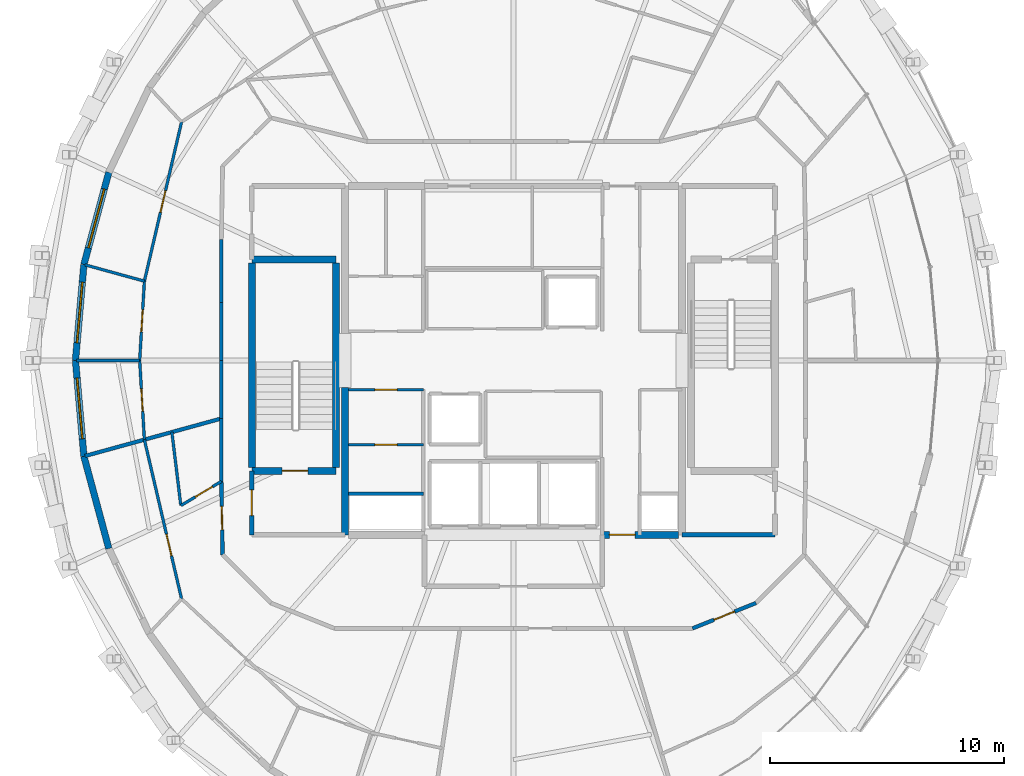
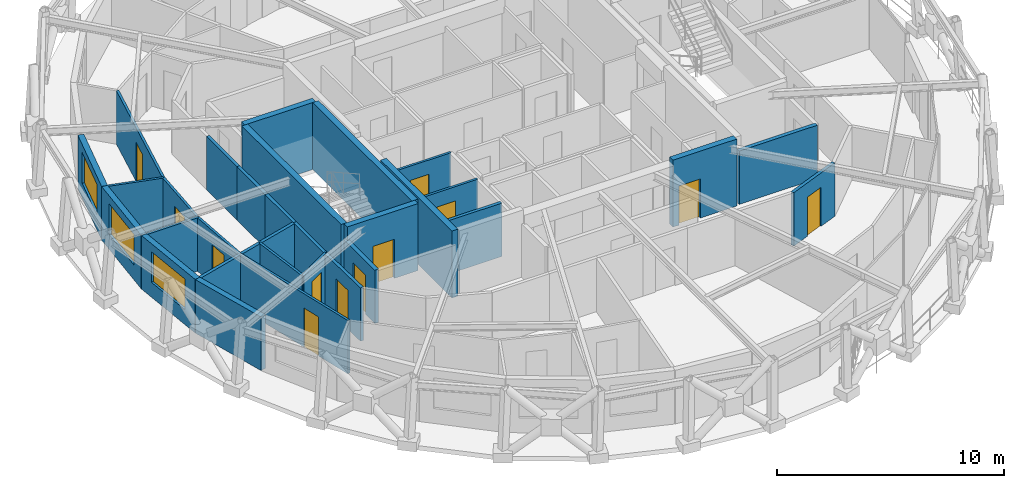
# One storey, part 11 of 16: 30 walls, 12 doors, 3 windows, 15 openings.
"""IFC4 building model written with IfcOpenShell, lengths in metres."""

from ifc_helpers import new_model, si_unit, direction, frame, frame_2d, origin, place, context, subcontext, project, spatial, rectangle, extrude, material, layer, layer_set, type_object, element, fill, save


model = new_model("IFC4")

# Units and contexts
model_context = context("Model", 3, precision=1e-05, world=origin(), true_north=direction((0.0, 1.0)))
body_context = subcontext(model_context, "Body", "Model", "MODEL_VIEW")
ifc_project = project(units=[si_unit("LENGTHUNIT", "METRE"), si_unit("AREAUNIT", "SQUARE_METRE"), si_unit("VOLUMEUNIT", "CUBIC_METRE"), si_unit("PLANEANGLEUNIT", "RADIAN"), si_unit("MASSUNIT", "GRAM", prefix="KILO")], contexts=[model_context])

# Site, building, storey
site_placement = place(None, origin())
site = spatial("IfcSite", under=ifc_project, at=site_placement, CompositionType="ELEMENT")
building_placement = place(site_placement, origin())
building = spatial("IfcBuilding", under=site, at=building_placement, Name="Veldorina Hangang Commons", CompositionType="ELEMENT")
storey_placement = place(building_placement, frame((0.0, 0.0, 279.60009765625)))
storey = spatial("IfcBuildingStorey", under=building, at=storey_placement, Name="L73", CompositionType="ELEMENT", Elevation=279.60009765625)

# Wall
ifc_material_1 = material(Name="Concrete C50/60", Category="concrete")
ifc_layer_1 = layer(ifc_material_1, 0.300048828125)
ifc_layer_set_1 = layer_set([ifc_layer_1], Name="Concrete C50/60")
wall_type_1 = type_object("IfcWallType", Name="CW-RC300-C50", PredefinedType="SHEAR", material=ifc_layer_set_1)
wall_1_placement = place(storey_placement, frame((24.800048828125, 16.550048828125, 0.0), z_axis=(0.0, 0.0, 1.0), x_axis=(0.0, 1.0, 0.0)))
element("IfcWall", 1, at=wall_1_placement, inside=storey, type_object=wall_type_1, Name="L73 W south core shear wall", PredefinedType="SHEAR", context=body_context, shape_type="SweptSolid", body=[
    extrude(rectangle(XDim=6.300048828125, YDim=0.300048828125, at=frame_2d((3.14990234375, 0.0))), origin(), (0.0, 0.0, 1.0), 3.599853515625),
])

# Wall, opening, door
wall_2_placement = place(storey_placement, frame((35.800048828125, 16.550048828125, 0.0), z_axis=(0.0, 0.0, 1.0), x_axis=(1.0, 0.0, 0.0)))
wall_2 = element("IfcWall", 2, at=wall_2_placement, inside=storey, type_object=wall_type_1, Name="L73 south-east core shear wall", PredefinedType="SHEAR", context=body_context, shape_type="SweptSolid", body=[
    extrude(rectangle(XDim=3.25, YDim=0.300048828125, at=frame_2d((1.625, 0.0))), origin(), (0.0, 0.0, 1.0), 3.599853515625),
])
opening_1_placement = place(wall_2_placement, frame((0.300048828125, 0.0, 0.0)))
opening_1 = element("IfcOpeningElement", 3, at=opening_1_placement, cuts=wall_2, Name="Opening D-08", PredefinedType="OPENING", context=body_context, shape_type="SweptSolid", body=[
    extrude(rectangle(XDim=1.10009765625, YDim=2.10009765625, at=frame_2d((0.550048828125, 1.050048828125))), frame((0.0, 0.16015625, 0.0), z_axis=(0.0, -1.0, 0.0), x_axis=(1.0, 0.0, 0.0)), (0.0, 0.0, 1.0), 0.320068359375),
])
ifc_material_2 = material(Name="Steel Fire-Rated Smoke Seal", Category="steel")
door_type_1 = type_object("IfcDoorType", Name="DR-FIRE-1100", OperationType="SINGLE_SWING_RIGHT", PredefinedType="DOOR", material=ifc_material_2)
door_1_placement = place(opening_1_placement, origin())
door_1 = element("IfcDoor", 4, at=door_1_placement, inside=storey, type_object=door_type_1, Name="L73 central lift lobby south corridor door", OperationType="SINGLE_SWING_RIGHT", OverallHeight=2.10009765625, OverallWidth=1.10009765625, PredefinedType="DOOR", context=body_context, shape_type="SweptSolid", body=[
    extrude(rectangle(XDim=1.10009765625, YDim=2.10009765625, at=frame_2d((0.550048828125, 1.050048828125))), frame((0.0, 0.02490234375, 0.0), z_axis=(0.0, -1.0, 0.0), x_axis=(1.0, 0.0, 0.0)), (0.0, 0.0, 1.0), 0.050048828125),
])
fill(opening_1, door_1)

# Wall, opening, window
ifc_material_3 = material(Name="Stone Roman Travertine", Category="masonry")
ifc_layer_2 = layer(ifc_material_3, 0.280029296875)
ifc_layer_set_2 = layer_set([ifc_layer_2], Name="Stone Roman Travertine")
wall_type_2 = type_object("IfcWallType", Name="EW-TRAV-280", PredefinedType="STANDARD", material=ifc_layer_set_2)
wall_3_placement = place(storey_placement, frame((14.711669921875, 32.03662109375, 0.0), z_axis=(0.0, 0.0, 1.0), x_axis=(-0.260889436927, -0.965368686927, 0.0)))
wall_3 = element("IfcWall", 5, at=wall_3_placement, inside=storey, type_object=wall_type_2, Name="L73 travertine facade wall 14", PredefinedType="STANDARD", context=body_context, shape_type="SweptSolid", body=[
    extrude(rectangle(XDim=4.0810546875, YDim=0.280029296875, at=frame_2d((2.04052734375, 0.0))), origin(), (0.0, 0.0, 1.0), 2.8798828125),
])
opening_2_placement = place(wall_3_placement, frame((0.740478515625, 0.0, 0.800048828125)))
opening_2 = element("IfcOpeningElement", 6, at=opening_2_placement, cuts=wall_3, Name="Opening W-02", PredefinedType="OPENING", context=body_context, shape_type="SweptSolid", body=[
    extrude(rectangle(XDim=2.60009765625, YDim=1.64990234375, at=frame_2d((1.300048828125, 0.824951171875))), frame((0.0, 0.14990234375, 0.0), z_axis=(0.0, -1.0, 0.0), x_axis=(1.0, 0.0, 0.0)), (0.0, 0.0, 1.0), 0.300048828125),
])
ifc_material_4 = material(Name="Glass Low-E Triple IGU", Category="glass")
window_type = type_object("IfcWindowType", Name="WIN-TWR-2600", PartitioningType="SINGLE_PANEL", PredefinedType="WINDOW", material=ifc_material_4)
window_1_placement = place(opening_2_placement, origin())
window_1 = element("IfcWindow", 7, at=window_1_placement, inside=storey, type_object=window_type, Name="L73 facade window 14", OverallHeight=1.64990234375, OverallWidth=2.60009765625, PartitioningType="SINGLE_PANEL", PredefinedType="WINDOW", context=body_context, shape_type="SweptSolid", body=[
    extrude(rectangle(XDim=2.60009765625, YDim=1.64990234375, at=frame_2d((1.300048828125, 0.824951171875))), frame((0.0, 0.030029296875, 0.0), z_axis=(0.0, -1.0, 0.0), x_axis=(1.0, 0.0, 0.0)), (0.0, 0.0, 1.0), 0.06005859375),
])
fill(opening_2, window_1)

wall_4_placement = place(storey_placement, frame((13.64697265625, 28.096923828125, 0.0), z_axis=(0.0, 0.0, 1.0), x_axis=(-0.087441623723, -0.996169645412, 0.0)))
wall_4 = element("IfcWall", 8, at=wall_4_placement, inside=storey, type_object=wall_type_2, Name="L73 travertine facade wall 15", PredefinedType="STANDARD", context=body_context, shape_type="SweptSolid", body=[
    extrude(rectangle(XDim=4.11279296875, YDim=0.280029296875, at=frame_2d((2.056396484375, 0.0))), origin(), (0.0, 0.0, 1.0), 2.8798828125),
])
opening_3_placement = place(wall_4_placement, frame((0.75634765625, 0.0, 0.800048828125)))
opening_3 = element("IfcOpeningElement", 9, at=opening_3_placement, cuts=wall_4, Name="Opening W-02", PredefinedType="OPENING", context=body_context, shape_type="SweptSolid", body=[
    extrude(rectangle(XDim=2.60009765625, YDim=1.64990234375, at=frame_2d((1.300048828125, 0.824951171875))), frame((0.0, 0.14990234375, 0.0), z_axis=(0.0, -1.0, 0.0), x_axis=(1.0, 0.0, 0.0)), (0.0, 0.0, 1.0), 0.300048828125),
])
window_2_placement = place(opening_3_placement, origin())
window_2 = element("IfcWindow", 10, at=window_2_placement, inside=storey, type_object=window_type, Name="L73 facade window 15", OverallHeight=1.64990234375, OverallWidth=2.60009765625, PartitioningType="SINGLE_PANEL", PredefinedType="WINDOW", context=body_context, shape_type="SweptSolid", body=[
    extrude(rectangle(XDim=2.60009765625, YDim=1.64990234375, at=frame_2d((1.300048828125, 0.824951171875))), frame((0.0, 0.030029296875, 0.0), z_axis=(0.0, -1.0, 0.0), x_axis=(1.0, 0.0, 0.0)), (0.0, 0.0, 1.0), 0.06005859375),
])
fill(opening_3, window_2)

wall_5_placement = place(storey_placement, frame((13.287353515625, 24.0, 0.0), z_axis=(0.0, 0.0, 1.0), x_axis=(0.087441623723, -0.996169645412, 0.0)))
wall_5 = element("IfcWall", 11, at=wall_5_placement, inside=storey, type_object=wall_type_2, Name="L73 travertine facade wall 16", PredefinedType="STANDARD", context=body_context, shape_type="SweptSolid", body=[
    extrude(rectangle(XDim=4.11279296875, YDim=0.280029296875, at=frame_2d((2.056396484375, 0.0))), origin(), (0.0, 0.0, 1.0), 2.8798828125),
])
opening_4_placement = place(wall_5_placement, frame((0.75634765625, 0.0, 0.800048828125)))
opening_4 = element("IfcOpeningElement", 12, at=opening_4_placement, cuts=wall_5, Name="Opening W-02", PredefinedType="OPENING", context=body_context, shape_type="SweptSolid", body=[
    extrude(rectangle(XDim=2.60009765625, YDim=1.64990234375, at=frame_2d((1.300048828125, 0.824951171875))), frame((0.0, 0.14990234375, 0.0), z_axis=(0.0, -1.0, 0.0), x_axis=(1.0, 0.0, 0.0)), (0.0, 0.0, 1.0), 0.300048828125),
])
window_3_placement = place(opening_4_placement, origin())
window_3 = element("IfcWindow", 13, at=window_3_placement, inside=storey, type_object=window_type, Name="L73 facade window 16", OverallHeight=1.64990234375, OverallWidth=2.60009765625, PartitioningType="SINGLE_PANEL", PredefinedType="WINDOW", context=body_context, shape_type="SweptSolid", body=[
    extrude(rectangle(XDim=2.60009765625, YDim=1.64990234375, at=frame_2d((1.300048828125, 0.824951171875))), frame((0.0, 0.030029296875, 0.0), z_axis=(0.0, -1.0, 0.0), x_axis=(1.0, 0.0, 0.0)), (0.0, 0.0, 1.0), 0.06005859375),
])
fill(opening_4, window_3)

# Walls
wall_6_placement = place(storey_placement, frame((13.64697265625, 19.903076171875, 0.0), z_axis=(0.0, 0.0, 1.0), x_axis=(0.260889436927, -0.965368686927, 0.0)))
element("IfcWall", 14, at=wall_6_placement, inside=storey, type_object=wall_type_2, Name="L73 travertine facade wall 17", PredefinedType="STANDARD", context=body_context, shape_type="SweptSolid", body=[
    extrude(rectangle(XDim=4.0810546875, YDim=0.280029296875, at=frame_2d((2.04052734375, 0.0))), origin(), (0.0, 0.0, 1.0), 2.8798828125),
])
ifc_layer_3 = layer(ifc_material_1, 0.300048828125)
ifc_layer_set_3 = layer_set([ifc_layer_3], Name="Concrete C50/60")
wall_type_3 = type_object("IfcWallType", Name="SW-STAIR-300", PredefinedType="SHEAR", material=ifc_layer_set_3)
for number, where, z_axis, x_axis, name in (
    (15, (20.820068359375, 19.429931640625, 0.0), (0.0, 0.0, 1.0), (0.0, 1.0, 0.0), "L73 ST1 outer stair shear wall"),
    (16, (24.419921875, 19.429931640625, 0.0), (0.0, 0.0, 1.0), (0.0, 1.0, 0.0), "L73 ST1 inner stair shear wall"),
):
    element("IfcWall", number, at=place(storey_placement, frame(where, z_axis=z_axis, x_axis=x_axis)), inside=storey, type_object=wall_type_3, Name=name, PredefinedType="SHEAR", context=body_context, shape_type="SweptSolid", body=[
        extrude(rectangle(XDim=8.739990234375, YDim=0.300048828125, at=frame_2d((4.3701171875, 0.0))), origin(), (0.0, 0.0, 1.0), 3.599853515625),
    ])

# Wall, opening, door
wall_7_placement = place(storey_placement, frame((20.820068359375, 19.280029296875, 0.0), z_axis=(0.0, 0.0, 1.0), x_axis=(1.0, 0.0, 0.0)))
wall_7 = element("IfcWall", 17, at=wall_7_placement, inside=storey, type_object=wall_type_3, Name="L73 ST1 south stair shear wall", PredefinedType="SHEAR", context=body_context, shape_type="SweptSolid", body=[
    extrude(rectangle(XDim=3.599853515625, YDim=0.300048828125, at=frame_2d((1.7998046875, 0.0))), origin(), (0.0, 0.0, 1.0), 3.599853515625),
])
opening_5_placement = place(wall_7_placement, frame((1.300048828125, 0.0, 0.0)))
opening_5 = element("IfcOpeningElement", 18, at=opening_5_placement, cuts=wall_7, Name="Opening D-08", PredefinedType="OPENING", context=body_context, shape_type="SweptSolid", body=[
    extrude(rectangle(XDim=1.10009765625, YDim=2.10009765625, at=frame_2d((0.550048828125, 1.050048828125))), frame((0.0, 0.16015625, 0.0), z_axis=(0.0, -1.0, 0.0), x_axis=(1.0, 0.0, 0.0)), (0.0, 0.0, 1.0), 0.320068359375),
])
door_2_placement = place(opening_5_placement, origin())
door_2 = element("IfcDoor", 19, at=door_2_placement, inside=storey, type_object=door_type_1, Name="L73 Special Escape Stair ST-1 door", OperationType="SINGLE_SWING_LEFT", OverallHeight=2.10009765625, OverallWidth=1.10009765625, PredefinedType="DOOR", context=body_context, shape_type="SweptSolid", body=[
    extrude(rectangle(XDim=1.10009765625, YDim=2.10009765625, at=frame_2d((0.550048828125, 1.050048828125))), frame((0.0, 0.02490234375, 0.0), z_axis=(0.0, -1.0, 0.0), x_axis=(1.0, 0.0, 0.0)), (0.0, 0.0, 1.0), 0.050048828125),
])
fill(opening_5, door_2)

# Walls
wall_8_placement = place(storey_placement, frame((20.820068359375, 28.320068359375, 0.0), z_axis=(0.0, 0.0, 1.0), x_axis=(1.0, 0.0, 0.0)))
element("IfcWall", 20, at=wall_8_placement, inside=storey, type_object=wall_type_3, Name="L73 ST1 north stair shear wall", PredefinedType="SHEAR", context=body_context, shape_type="SweptSolid", body=[
    extrude(rectangle(XDim=3.599853515625, YDim=0.300048828125, at=frame_2d((1.7998046875, 0.0))), origin(), (0.0, 0.0, 1.0), 3.599853515625),
])
ifc_material_5 = material(Name="Gypsum Fire-Rated Twin Stud Wall", Category="gypsum")
ifc_layer_4 = layer(ifc_material_5, 0.159912109375)
ifc_layer_set_4 = layer_set([ifc_layer_4], Name="Gypsum Fire-Rated Twin Stud Wall")
wall_type_4 = type_object("IfcWallType", Name="WL-FIRE-160", PredefinedType="SOLIDWALL", material=ifc_layer_set_4)
wall_9_placement = place(storey_placement, frame((24.949951171875, 18.300048828125, 0.0), z_axis=(0.0, 0.0, 1.0), x_axis=(1.0, 0.0, 0.0)))
element("IfcWall", 21, at=wall_9_placement, inside=storey, type_object=wall_type_4, Name="L73 Electrical riser wall 041", PredefinedType="SOLIDWALL", context=body_context, shape_type="SweptSolid", body=[
    extrude(rectangle(XDim=3.199951171875, YDim=0.159912109375, at=frame_2d((1.60009765625, 0.0))), origin(), (0.0, 0.0, 1.0), 2.869873046875),
])
wall_10_placement = place(storey_placement, frame((19.52001953125, 29.16943359375, 0.0), z_axis=(0.0, 0.0, 1.0), x_axis=(0.0, -1.0, 0.0)))
element("IfcWall", 22, at=wall_10_placement, inside=storey, type_object=wall_type_4, Name="L73 Compact collar outer wall 14 068", PredefinedType="SOLIDWALL", context=body_context, shape_type="SweptSolid", body=[
    extrude(rectangle(XDim=2.68701171875, YDim=0.159912109375, at=frame_2d((1.343505859375, 0.0))), origin(), (0.0, 0.0, 1.0), 2.869873046875),
])
for number, where, z_axis, x_axis, name in (
    (23, (19.52001953125, 26.482421875, 0.0), (0.0, 0.0, 1.0), (0.0, -1.0, 0.0), "L73 Compact collar outer wall 15 069"),
    (24, (19.52001953125, 24.0, 0.0), (0.0, 0.0, 1.0), (0.0, -1.0, 0.0), "L73 Compact collar outer wall 16 070"),
):
    element("IfcWall", number, at=place(storey_placement, frame(where, z_axis=z_axis, x_axis=x_axis)), inside=storey, type_object=wall_type_4, Name=name, PredefinedType="SOLIDWALL", context=body_context, shape_type="SweptSolid", body=[
        extrude(rectangle(XDim=2.482421875, YDim=0.159912109375, at=frame_2d((1.2412109375, 0.0))), origin(), (0.0, 0.0, 1.0), 2.869873046875),
    ])
wall_11_placement = place(storey_placement, frame((19.52001953125, 21.517578125, 0.0), z_axis=(0.0, 0.0, 1.0), x_axis=(0.0, -1.0, 0.0)))
element("IfcWall", 25, at=wall_11_placement, inside=storey, type_object=wall_type_4, Name="L73 Compact collar outer wall 17 071", PredefinedType="SOLIDWALL", context=body_context, shape_type="SweptSolid", body=[
    extrude(rectangle(XDim=2.68701171875, YDim=0.159912109375, at=frame_2d((1.343505859375, 0.0))), origin(), (0.0, 0.0, 1.0), 2.869873046875),
])

# Wall, opening, door
wall_12_placement = place(storey_placement, frame((19.52001953125, 18.83056640625, 0.0), z_axis=(0.0, 0.0, 1.0), x_axis=(0.016981035134, -0.999855811828, 0.0)))
wall_12 = element("IfcWall", 26, at=wall_12_placement, inside=storey, type_object=wall_type_4, Name="L73 Compact collar outer wall 18 072", PredefinedType="SOLIDWALL", context=body_context, shape_type="SweptSolid", body=[
    extrude(rectangle(XDim=3.13427734375, YDim=0.159912109375, at=frame_2d((1.567138671875, 0.0))), origin(), (0.0, 0.0, 1.0), 2.869873046875),
])
opening_6_placement = place(wall_12_placement, frame((1.067138671875, 0.0, 0.0)))
opening_6 = element("IfcOpeningElement", 27, at=opening_6_placement, cuts=wall_12, Name="Opening D-06", PredefinedType="OPENING", context=body_context, shape_type="SweptSolid", body=[
    extrude(rectangle(XDim=1.0, YDim=2.10009765625, at=frame_2d((0.5, 1.050048828125))), frame((0.0, 0.08984375, 0.0), z_axis=(0.0, -1.0, 0.0), x_axis=(1.0, 0.0, 0.0)), (0.0, 0.0, 1.0), 0.179931640625),
])
ifc_material_6 = material(Name="Timber Fire-Rated Entrance Core", Category="wood")
door_type_2 = type_object("IfcDoorType", Name="DR-UNIT-1000", OperationType="SINGLE_SWING_LEFT", PredefinedType="DOOR", material=ifc_material_6)
door_3_placement = place(opening_6_placement, origin())
door_3 = element("IfcDoor", 28, at=door_3_placement, inside=storey, type_object=door_type_2, Name="L73 Cluster 6 entrance door 040", OperationType="SINGLE_SWING_RIGHT", OverallHeight=2.10009765625, OverallWidth=1.0, PredefinedType="DOOR", context=body_context, shape_type="SweptSolid", body=[
    extrude(rectangle(XDim=1.0, YDim=2.10009765625, at=frame_2d((0.5, 1.050048828125))), frame((0.0, 0.02490234375, 0.0), z_axis=(0.0, -1.0, 0.0), x_axis=(1.0, 0.0, 0.0)), (0.0, 0.0, 1.0), 0.050048828125),
])
fill(opening_6, door_3)

wall_13_placement = place(storey_placement, frame((39.650634765625, 12.550048828125, 0.0), z_axis=(0.0, 0.0, 1.0), x_axis=(0.92856882165, 0.371160266542, 0.0)))
wall_13 = element("IfcWall", 29, at=wall_13_placement, inside=storey, type_object=wall_type_4, Name="L73 Compact collar outer wall 27 081", PredefinedType="SOLIDWALL", context=body_context, shape_type="SweptSolid", body=[
    extrude(rectangle(XDim=2.923095703125, YDim=0.159912109375, at=frame_2d((1.46142578125, 0.0))), origin(), (0.0, 0.0, 1.0), 2.869873046875),
])
opening_7_placement = place(wall_13_placement, frame((0.986572265625, 0.0, 0.0)))
opening_7 = element("IfcOpeningElement", 30, at=opening_7_placement, cuts=wall_13, Name="Opening D-02", PredefinedType="OPENING", context=body_context, shape_type="SweptSolid", body=[
    extrude(rectangle(XDim=0.949951171875, YDim=2.10009765625, at=frame_2d((0.47509765625, 1.050048828125))), frame((0.0, 0.08984375, 0.0), z_axis=(0.0, -1.0, 0.0), x_axis=(1.0, 0.0, 0.0)), (0.0, 0.0, 1.0), 0.179931640625),
])
ifc_material_7 = material(Name="Timber Solid Core Acoustic", Category="wood")
door_type_3 = type_object("IfcDoorType", Name="DR-INT-950", OperationType="SINGLE_SWING_LEFT", PredefinedType="DOOR", material=ifc_material_7)
door_4_placement = place(opening_7_placement, origin())
door_4 = element("IfcDoor", 31, at=door_4_placement, inside=storey, type_object=door_type_3, Name="L73 Linen drying store door 046", OperationType="SINGLE_SWING_RIGHT", OverallHeight=2.10009765625, OverallWidth=0.949951171875, PredefinedType="DOOR", context=body_context, shape_type="SweptSolid", body=[
    extrude(rectangle(XDim=0.949951171875, YDim=2.10009765625, at=frame_2d((0.47509765625, 1.050048828125))), frame((0.0, 0.02490234375, 0.0), z_axis=(0.0, -1.0, 0.0), x_axis=(1.0, 0.0, 0.0)), (0.0, 0.0, 1.0), 0.050048828125),
])
fill(opening_7, door_4)

# Wall
wall_14_placement = place(storey_placement, frame((19.52001953125, 21.517578125, 0.0), z_axis=(0.0, 0.0, 1.0), x_axis=(-0.964228378678, -0.265072883849, 0.0)))
element("IfcWall", 32, at=wall_14_placement, inside=storey, type_object=wall_type_4, Name="L73 Unit party wall 17 113", PredefinedType="SOLIDWALL", context=body_context, shape_type="SweptSolid", body=[
    extrude(rectangle(XDim=6.041015625, YDim=0.159912109375, at=frame_2d((3.0205078125, 0.0))), origin(), (0.0, 0.0, 1.0), 2.869873046875),
])

# Wall, opening, door
ifc_material_8 = material(Name="Concrete Blockwork Fire Wall C30/37", Category="masonry")
ifc_layer_5 = layer(ifc_material_8, 0.199951171875)
ifc_layer_set_5 = layer_set([ifc_layer_5], Name="Concrete Blockwork Fire Wall C30/37")
wall_type_5 = type_object("IfcWallType", Name="WL-FIRE-200", PredefinedType="SOLIDWALL", material=ifc_layer_set_5)
wall_15_placement = place(storey_placement, frame((20.820068359375, 16.550048828125, 0.0), z_axis=(0.0, 0.0, 1.0), x_axis=(0.0, 1.0, 0.0)))
wall_15 = element("IfcWall", 33, at=wall_15_placement, inside=storey, type_object=wall_type_5, Name="L73 West vestibule outer wall 001", PredefinedType="SOLIDWALL", context=body_context, shape_type="SweptSolid", body=[
    extrude(rectangle(XDim=2.72998046875, YDim=0.199951171875, at=frame_2d((1.364990234375, 0.0))), origin(), (0.0, 0.0, 1.0), 2.869873046875),
])
opening_8_placement = place(wall_15_placement, frame((0.81494140625, 0.0, 0.0)))
opening_8 = element("IfcOpeningElement", 34, at=opening_8_placement, cuts=wall_15, Name="Opening D-08", PredefinedType="OPENING", context=body_context, shape_type="SweptSolid", body=[
    extrude(rectangle(XDim=1.10009765625, YDim=2.10009765625, at=frame_2d((0.550048828125, 1.050048828125))), frame((0.0, 0.10986328125, 0.0), z_axis=(0.0, -1.0, 0.0), x_axis=(1.0, 0.0, 0.0)), (0.0, 0.0, 1.0), 0.219970703125),
])
door_5_placement = place(opening_8_placement, origin())
door_5 = element("IfcDoor", 35, at=door_5_placement, inside=storey, type_object=door_type_1, Name="L73 West vestibule west door 001", OperationType="SINGLE_SWING_LEFT", OverallHeight=2.10009765625, OverallWidth=1.10009765625, PredefinedType="DOOR", context=body_context, shape_type="SweptSolid", body=[
    extrude(rectangle(XDim=1.10009765625, YDim=2.10009765625, at=frame_2d((0.550048828125, 1.050048828125))), frame((0.0, 0.02490234375, 0.0), z_axis=(0.0, -1.0, 0.0), x_axis=(1.0, 0.0, 0.0)), (0.0, 0.0, 1.0), 0.050048828125),
])
fill(opening_8, door_5)

# Wall
wall_16_placement = place(storey_placement, frame((39.199951171875, 16.550048828125, 0.0), z_axis=(0.0, 0.0, 1.0), x_axis=(1.0, 0.0, 0.0)))
element("IfcWall", 36, at=wall_16_placement, inside=storey, type_object=wall_type_5, Name="L73 SE core room south wall 008", PredefinedType="SOLIDWALL", context=body_context, shape_type="SweptSolid", body=[
    extrude(rectangle(XDim=3.97998046875, YDim=0.199951171875, at=frame_2d((1.989990234375, 0.0))), origin(), (0.0, 0.0, 1.0), 2.869873046875),
])

# Wall, opening, door
ifc_material_9 = material(Name="Gypsum Acoustic Stud Partition", Category="gypsum")
ifc_layer_6 = layer(ifc_material_9, 0.1201171875)
ifc_layer_set_6 = layer_set([ifc_layer_6], Name="Gypsum Acoustic Stud Partition")
wall_type_6 = type_object("IfcWallType", Name="WL-PART-120", PredefinedType="PARTITIONING", material=ifc_layer_set_6)
wall_17_placement = place(storey_placement, frame((24.949951171875, 22.75, 0.0), z_axis=(0.0, 0.0, 1.0), x_axis=(1.0, 0.0, 0.0)))
wall_17 = element("IfcWall", 37, at=wall_17_placement, inside=storey, type_object=wall_type_6, Name="L73 SW service north wall 046", PredefinedType="PARTITIONING", context=body_context, shape_type="SweptSolid", body=[
    extrude(rectangle(XDim=3.199951171875, YDim=0.1201171875, at=frame_2d((1.60009765625, 0.0))), origin(), (0.0, 0.0, 1.0), 2.869873046875),
])
opening_9_placement = place(wall_17_placement, frame((1.125, 0.0, 0.0)))
opening_9 = element("IfcOpeningElement", 38, at=opening_9_placement, cuts=wall_17, Name="Opening D-02", PredefinedType="OPENING", context=body_context, shape_type="SweptSolid", body=[
    extrude(rectangle(XDim=0.949951171875, YDim=2.10009765625, at=frame_2d((0.47509765625, 1.050048828125))), frame((0.0, 0.070068359375, 0.0), z_axis=(0.0, -1.0, 0.0), x_axis=(1.0, 0.0, 0.0)), (0.0, 0.0, 1.0), 0.14013671875),
])
door_6_placement = place(opening_9_placement, origin())
door_6 = element("IfcDoor", 39, at=door_6_placement, inside=storey, type_object=door_type_3, Name="L73 Recycling room door 018", OperationType="SINGLE_SWING_RIGHT", OverallHeight=2.10009765625, OverallWidth=0.949951171875, PredefinedType="DOOR", context=body_context, shape_type="SweptSolid", body=[
    extrude(rectangle(XDim=0.949951171875, YDim=2.10009765625, at=frame_2d((0.47509765625, 1.050048828125))), frame((0.0, 0.02490234375, 0.0), z_axis=(0.0, -1.0, 0.0), x_axis=(1.0, 0.0, 0.0)), (0.0, 0.0, 1.0), 0.050048828125),
])
fill(opening_9, door_6)

wall_18_placement = place(storey_placement, frame((24.949951171875, 20.39990234375, 0.0), z_axis=(0.0, 0.0, 1.0), x_axis=(1.0, 0.0, 0.0)))
wall_18 = element("IfcWall", 40, at=wall_18_placement, inside=storey, type_object=wall_type_6, Name="L73 SW horizontal split 053", PredefinedType="PARTITIONING", context=body_context, shape_type="SweptSolid", body=[
    extrude(rectangle(XDim=3.199951171875, YDim=0.1201171875, at=frame_2d((1.60009765625, 0.0))), origin(), (0.0, 0.0, 1.0), 2.869873046875),
])
opening_10_placement = place(wall_18_placement, frame((1.125, 0.0, 0.0)))
opening_10 = element("IfcOpeningElement", 41, at=opening_10_placement, cuts=wall_18, Name="Opening D-02", PredefinedType="OPENING", context=body_context, shape_type="SweptSolid", body=[
    extrude(rectangle(XDim=0.949951171875, YDim=2.10009765625, at=frame_2d((0.47509765625, 1.050048828125))), frame((0.0, 0.070068359375, 0.0), z_axis=(0.0, -1.0, 0.0), x_axis=(1.0, 0.0, 0.0)), (0.0, 0.0, 1.0), 0.14013671875),
])
door_7_placement = place(opening_10_placement, origin())
door_7 = element("IfcDoor", 42, at=door_7_placement, inside=storey, type_object=door_type_3, Name="L73 Archive closet door 019", OperationType="SINGLE_SWING_LEFT", OverallHeight=2.10009765625, OverallWidth=0.949951171875, PredefinedType="DOOR", context=body_context, shape_type="SweptSolid", body=[
    extrude(rectangle(XDim=0.949951171875, YDim=2.10009765625, at=frame_2d((0.47509765625, 1.050048828125))), frame((0.0, 0.02490234375, 0.0), z_axis=(0.0, -1.0, 0.0), x_axis=(1.0, 0.0, 0.0)), (0.0, 0.0, 1.0), 0.050048828125),
])
fill(opening_10, door_7)

wall_19_placement = place(storey_placement, frame((17.819091796875, 34.18701171875, 0.0), z_axis=(0.0, 0.0, 1.0), x_axis=(-0.22738655048, -0.973804578271, 0.0)))
wall_19 = element("IfcWall", 43, at=wall_19_placement, inside=storey, type_object=wall_type_6, Name="L73 Cluster 5 bed 2 front wall 107", PredefinedType="PARTITIONING", context=body_context, shape_type="SweptSolid", body=[
    extrude(rectangle(XDim=6.983154296875, YDim=0.1201171875, at=frame_2d((3.49169921875, 0.0))), origin(), (0.0, 0.0, 1.0), 2.869873046875),
])
opening_11_placement = place(wall_19_placement, frame((3.016845703125, 0.0, 0.0)))
opening_11 = element("IfcOpeningElement", 44, at=opening_11_placement, cuts=wall_19, Name="Opening D-02", PredefinedType="OPENING", context=body_context, shape_type="SweptSolid", body=[
    extrude(rectangle(XDim=0.949951171875, YDim=2.10009765625, at=frame_2d((0.47509765625, 1.050048828125))), frame((0.0, 0.070068359375, 0.0), z_axis=(0.0, -1.0, 0.0), x_axis=(1.0, 0.0, 0.0)), (0.0, 0.0, 1.0), 0.14013671875),
])
door_8_placement = place(opening_11_placement, origin())
door_8 = element("IfcDoor", 45, at=door_8_placement, inside=storey, type_object=door_type_3, Name="L73 Cluster 5 bed 2 door 036", OperationType="SINGLE_SWING_RIGHT", OverallHeight=2.10009765625, OverallWidth=0.949951171875, PredefinedType="DOOR", context=body_context, shape_type="SweptSolid", body=[
    extrude(rectangle(XDim=0.949951171875, YDim=2.10009765625, at=frame_2d((0.47509765625, 1.050048828125))), frame((0.0, 0.02490234375, 0.0), z_axis=(0.0, -1.0, 0.0), x_axis=(1.0, 0.0, 0.0)), (0.0, 0.0, 1.0), 0.050048828125),
])
fill(opening_11, door_8)

wall_20_placement = place(storey_placement, frame((16.231201171875, 27.38671875, 0.0), z_axis=(0.0, 0.0, 1.0), x_axis=(-0.059367421014, -0.998236199164, 0.0)))
wall_20 = element("IfcWall", 46, at=wall_20_placement, inside=storey, type_object=wall_type_6, Name="L73 Cluster 5 bed 3 front wall 109", PredefinedType="PARTITIONING", context=body_context, shape_type="SweptSolid", body=[
    extrude(rectangle(XDim=3.392822265625, YDim=0.1201171875, at=frame_2d((1.6962890625, 0.0))), origin(), (0.0, 0.0, 1.0), 2.869873046875),
])
opening_12_placement = place(wall_20_placement, frame((1.22119140625, 0.0, 0.0)))
opening_12 = element("IfcOpeningElement", 47, at=opening_12_placement, cuts=wall_20, Name="Opening D-02", PredefinedType="OPENING", context=body_context, shape_type="SweptSolid", body=[
    extrude(rectangle(XDim=0.949951171875, YDim=2.10009765625, at=frame_2d((0.47509765625, 1.050048828125))), frame((0.0, 0.070068359375, 0.0), z_axis=(0.0, -1.0, 0.0), x_axis=(1.0, 0.0, 0.0)), (0.0, 0.0, 1.0), 0.14013671875),
])
door_9_placement = place(opening_12_placement, origin())
door_9 = element("IfcDoor", 48, at=door_9_placement, inside=storey, type_object=door_type_3, Name="L73 Cluster 5 bed 3 door 037", OperationType="SINGLE_SWING_LEFT", OverallHeight=2.10009765625, OverallWidth=0.949951171875, PredefinedType="DOOR", context=body_context, shape_type="SweptSolid", body=[
    extrude(rectangle(XDim=0.949951171875, YDim=2.10009765625, at=frame_2d((0.47509765625, 1.050048828125))), frame((0.0, 0.02490234375, 0.0), z_axis=(0.0, -1.0, 0.0), x_axis=(1.0, 0.0, 0.0)), (0.0, 0.0, 1.0), 0.050048828125),
])
fill(opening_12, door_9)

# Wall
wall_21_placement = place(storey_placement, frame((16.231201171875, 27.38671875, 0.0), z_axis=(0.0, 0.0, 1.0), x_axis=(-0.964245725416, 0.265009775324, 0.0)))
element("IfcWall", 49, at=wall_21_placement, inside=storey, type_object=wall_type_6, Name="L73 Cluster 5 bed divider 2 110", PredefinedType="PARTITIONING", context=body_context, shape_type="SweptSolid", body=[
    extrude(rectangle(XDim=2.630126953125, YDim=0.1201171875, at=frame_2d((1.31494140625, 0.0))), origin(), (0.0, 0.0, 1.0), 2.869873046875),
])

# Wall, opening, door
wall_22_placement = place(storey_placement, frame((16.02978515625, 24.0, 0.0), z_axis=(0.0, 0.0, 1.0), x_axis=(0.059367421014, -0.998236199164, 0.0)))
wall_22 = element("IfcWall", 50, at=wall_22_placement, inside=storey, type_object=wall_type_6, Name="L73 Cluster 5 bed 4 front wall 111", PredefinedType="PARTITIONING", context=body_context, shape_type="SweptSolid", body=[
    extrude(rectangle(XDim=3.392822265625, YDim=0.1201171875, at=frame_2d((1.6962890625, 0.0))), origin(), (0.0, 0.0, 1.0), 2.869873046875),
])
opening_13_placement = place(wall_22_placement, frame((1.22119140625, 0.0, 0.0)))
opening_13 = element("IfcOpeningElement", 51, at=opening_13_placement, cuts=wall_22, Name="Opening D-02", PredefinedType="OPENING", context=body_context, shape_type="SweptSolid", body=[
    extrude(rectangle(XDim=0.949951171875, YDim=2.10009765625, at=frame_2d((0.47509765625, 1.050048828125))), frame((0.0, 0.070068359375, 0.0), z_axis=(0.0, -1.0, 0.0), x_axis=(1.0, 0.0, 0.0)), (0.0, 0.0, 1.0), 0.14013671875),
])
door_10_placement = place(opening_13_placement, origin())
door_10 = element("IfcDoor", 52, at=door_10_placement, inside=storey, type_object=door_type_3, Name="L73 Cluster 5 bed 4 door 038", OperationType="SINGLE_SWING_RIGHT", OverallHeight=2.10009765625, OverallWidth=0.949951171875, PredefinedType="DOOR", context=body_context, shape_type="SweptSolid", body=[
    extrude(rectangle(XDim=0.949951171875, YDim=2.10009765625, at=frame_2d((0.47509765625, 1.050048828125))), frame((0.0, 0.02490234375, 0.0), z_axis=(0.0, -1.0, 0.0), x_axis=(1.0, 0.0, 0.0)), (0.0, 0.0, 1.0), 0.050048828125),
])
fill(opening_13, door_10)

# Walls
wall_23_placement = place(storey_placement, frame((16.02978515625, 24.0, 0.0), z_axis=(0.0, 0.0, 1.0), x_axis=(-1.0, 0.0, 0.0)))
element("IfcWall", 53, at=wall_23_placement, inside=storey, type_object=wall_type_6, Name="L73 Cluster 5 bed divider 3 112", PredefinedType="PARTITIONING", context=body_context, shape_type="SweptSolid", body=[
    extrude(rectangle(XDim=2.6923828125, YDim=0.1201171875, at=frame_2d((1.34619140625, 0.0))), origin(), (0.0, 0.0, 1.0), 2.869873046875),
])
wall_24_placement = place(storey_placement, frame((17.40576171875, 20.936279296875, 0.0), z_axis=(0.0, 0.0, 1.0), x_axis=(0.121249255799, -0.992622092222, 0.0)))
element("IfcWall", 54, at=wall_24_placement, inside=storey, type_object=wall_type_6, Name="L73 Cluster 6 bath front wall 114", PredefinedType="PARTITIONING", context=body_context, shape_type="SweptSolid", body=[
    extrude(rectangle(XDim=3.161376953125, YDim=0.1201171875, at=frame_2d((1.58056640625, 0.0))), origin(), (0.0, 0.0, 1.0), 2.869873046875),
])

# Wall, opening, door
wall_25_placement = place(storey_placement, frame((19.52001953125, 18.83056640625, 0.0), z_axis=(0.0, 0.0, 1.0), x_axis=(-0.858879340115, -0.512177976023, 0.0)))
wall_25 = element("IfcWall", 55, at=wall_25_placement, inside=storey, type_object=wall_type_6, Name="L73 Cluster 6 bath side wall 115", PredefinedType="PARTITIONING", context=body_context, shape_type="SweptSolid", body=[
    extrude(rectangle(XDim=2.015380859375, YDim=0.1201171875, at=frame_2d((1.0078125, 0.0))), origin(), (0.0, 0.0, 1.0), 2.869873046875),
])
opening_14_placement = place(wall_25_placement, frame((0.43994140625, 0.0, 0.0)))
opening_14 = element("IfcOpeningElement", 56, at=opening_14_placement, cuts=wall_25, Name="Opening D-01", PredefinedType="OPENING", context=body_context, shape_type="SweptSolid", body=[
    extrude(rectangle(XDim=0.860107421875, YDim=2.10009765625, at=frame_2d((0.43017578125, 1.050048828125))), frame((0.0, 0.070068359375, 0.0), z_axis=(0.0, -1.0, 0.0), x_axis=(1.0, 0.0, 0.0)), (0.0, 0.0, 1.0), 0.14013671875),
])
ifc_material_10 = material(Name="Timber Moisture-Resistant Core", Category="wood")
door_type_4 = type_object("IfcDoorType", Name="DR-WET-860", OperationType="SINGLE_SWING_LEFT", PredefinedType="DOOR", material=ifc_material_10)
door_11_placement = place(opening_14_placement, origin())
door_11 = element("IfcDoor", 57, at=door_11_placement, inside=storey, type_object=door_type_4, Name="L73 Cluster 6 shared bathroom door 039", OperationType="SINGLE_SWING_LEFT", OverallHeight=2.10009765625, OverallWidth=0.860107421875, PredefinedType="DOOR", context=body_context, shape_type="SweptSolid", body=[
    extrude(rectangle(XDim=0.860107421875, YDim=2.10009765625, at=frame_2d((0.43017578125, 1.050048828125))), frame((0.0, 0.02490234375, 0.0), z_axis=(0.0, -1.0, 0.0), x_axis=(1.0, 0.0, 0.0)), (0.0, 0.0, 1.0), 0.050048828125),
])
fill(opening_14, door_11)

wall_26_placement = place(storey_placement, frame((16.231201171875, 20.61328125, 0.0), z_axis=(0.0, 0.0, 1.0), x_axis=(0.22738655048, -0.973804578271, 0.0)))
wall_26 = element("IfcWall", 58, at=wall_26_placement, inside=storey, type_object=wall_type_6, Name="L73 Cluster 6 bed 1 front wall 116", PredefinedType="PARTITIONING", context=body_context, shape_type="SweptSolid", body=[
    extrude(rectangle(XDim=6.983154296875, YDim=0.1201171875, at=frame_2d((3.49169921875, 0.0))), origin(), (0.0, 0.0, 1.0), 2.869873046875),
])
opening_15_placement = place(wall_26_placement, frame((4.150390625, 0.0, 0.0)))
opening_15 = element("IfcOpeningElement", 59, at=opening_15_placement, cuts=wall_26, Name="Opening D-02", PredefinedType="OPENING", context=body_context, shape_type="SweptSolid", body=[
    extrude(rectangle(XDim=0.949951171875, YDim=2.10009765625, at=frame_2d((0.47509765625, 1.050048828125))), frame((0.0, 0.070068359375, 0.0), z_axis=(0.0, -1.0, 0.0), x_axis=(1.0, 0.0, 0.0)), (0.0, 0.0, 1.0), 0.14013671875),
])
door_12_placement = place(opening_15_placement, origin())
door_12 = element("IfcDoor", 60, at=door_12_placement, inside=storey, type_object=door_type_3, Name="L73 Cluster 6 bed 1 door 041", OperationType="SINGLE_SWING_LEFT", OverallHeight=2.10009765625, OverallWidth=0.949951171875, PredefinedType="DOOR", context=body_context, shape_type="SweptSolid", body=[
    extrude(rectangle(XDim=0.949951171875, YDim=2.10009765625, at=frame_2d((0.47509765625, 1.050048828125))), frame((0.0, 0.02490234375, 0.0), z_axis=(0.0, -1.0, 0.0), x_axis=(1.0, 0.0, 0.0)), (0.0, 0.0, 1.0), 0.050048828125),
])
fill(opening_15, door_12)

save(model, "model.ifc")
